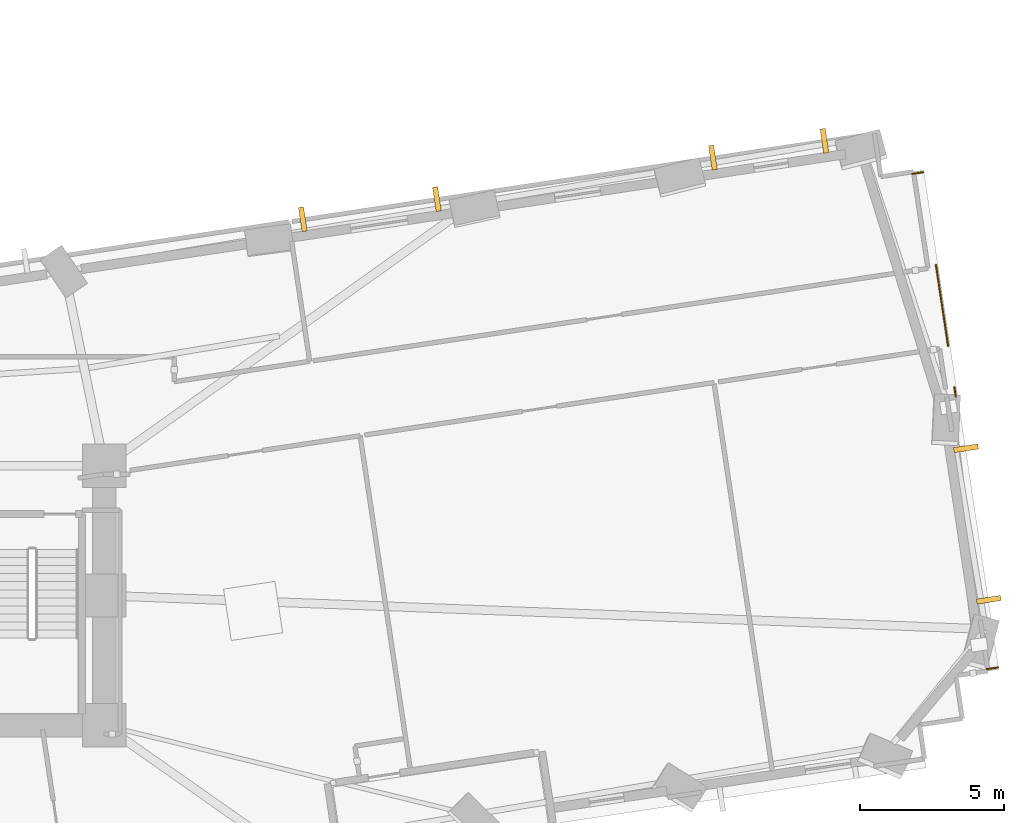
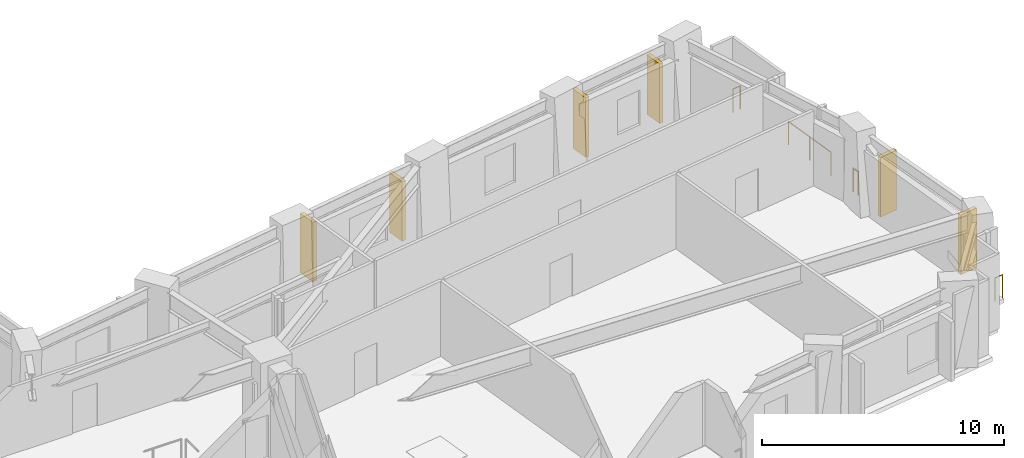
# One storey, part 14 of 15: 6 shading devices, 4 railings.
"""IFC4 building model written with IfcOpenShell, lengths in metres."""

from ifc_helpers import new_model, si_unit, direction, frame, origin, origin_2d, place, context, subcontext, project, spatial, rectangle, circle, extrude, material, layer, layer_set, type_object, element, save


model = new_model("IFC4")

# Units and contexts
model_context = context("Model", 3, precision=1e-05, world=origin(), true_north=direction((0.0, 1.0)))
body_context = subcontext(model_context, "Body", "Model", "MODEL_VIEW")
ifc_project = project(units=[si_unit("LENGTHUNIT", "METRE"), si_unit("AREAUNIT", "SQUARE_METRE"), si_unit("VOLUMEUNIT", "CUBIC_METRE"), si_unit("PLANEANGLEUNIT", "RADIAN"), si_unit("MASSUNIT", "GRAM", prefix="KILO")], contexts=[model_context])

# Site, building, storey
site_placement = place(None, origin())
site = spatial("IfcSite", under=ifc_project, at=site_placement, CompositionType="ELEMENT")
building_placement = place(site_placement, origin())
building = spatial("IfcBuilding", under=site, at=building_placement, Name="Gaonmaruhae Medical Tower", CompositionType="ELEMENT")
storey_placement = place(building_placement, frame((0.0, 0.0, 59.0)))
storey = spatial("IfcBuildingStorey", under=building, at=storey_placement, Name="L13", CompositionType="ELEMENT", Elevation=59.0)

# Railings
ifc_material_1 = material(Name="Stainless steel 316L and laminated safety glass", Category="steel")
ifc_layer = layer(ifc_material_1, 0.080078125)
ifc_layer_set = layer_set([ifc_layer], Name="Stainless steel 316L and laminated safety glass")
railing_type = type_object("IfcRailingType", Name="GD-120 Outdoor Terrace Safety Glass & Steel Balustrade", PredefinedType="BALUSTRADE", material=ifc_layer_set)
railing_1_placement = place(storey_placement, frame((63.605712890625, 26.91455078125, 0.0)))
element("IfcRailing", 1, at=railing_1_placement, inside=storey, type_object=railing_type, Name="L13 Perimeter Slab Edge Safety Balustrade 03", PredefinedType="BALUSTRADE", context=body_context, shape_type="SweptSolid", body=[
    extrude(circle(Radius=0.02392578125, at=origin_2d()), frame((0.0, 0.0, 1.17578125), z_axis=(0.988931798869, 0.148370809749, 0.0), x_axis=(-0.148370809749, 0.988931798869, 0.0)), (0.0, 0.0, 1.0), 0.393310546875),
    extrude(circle(Radius=0.02099609375, at=origin_2d()), origin(), (0.0, 0.0, 1.0), 1.15185546875),
    extrude(circle(Radius=0.02099609375, at=origin_2d()), frame((0.388916015625, 0.058349609375, 0.0)), (0.0, 0.0, 1.0), 1.15185546875),
])
railing_2_placement = place(storey_placement, frame((64.427490234375, 23.7587890625, 0.0)))
element("IfcRailing", 2, at=railing_2_placement, inside=storey, type_object=railing_type, Name="L13 Perimeter Slab Edge Safety Balustrade 04", PredefinedType="BALUSTRADE", context=body_context, shape_type="SweptSolid", body=[
    extrude(circle(Radius=0.02392578125, at=origin_2d()), frame((0.0, 0.0, 1.17578125), z_axis=(0.148618020815, -0.988894677855, 0.0), x_axis=(0.988894677855, 0.148618020815, 0.0)), (0.0, 0.0, 1.0), 2.838623046875),
    extrude(circle(Radius=0.02099609375, at=origin_2d()), origin(), (0.0, 0.0, 1.0), 1.15185546875),
    extrude(circle(Radius=0.02099609375, at=origin_2d()), frame((0.2109375, -1.403564453125, 0.0)), (0.0, 0.0, 1.0), 1.15185546875),
    extrude(circle(Radius=0.02099609375, at=origin_2d()), frame((0.421875, -2.80712890625, 0.0)), (0.0, 0.0, 1.0), 1.15185546875),
])
railing_3_placement = place(storey_placement, frame((65.064697265625, 19.520751953125, 0.0)))
element("IfcRailing", 3, at=railing_3_placement, inside=storey, type_object=railing_type, Name="L13 Perimeter Slab Edge Safety Balustrade 05", PredefinedType="BALUSTRADE", context=body_context, shape_type="SweptSolid", body=[
    extrude(circle(Radius=0.02392578125, at=origin_2d()), frame((0.0, 0.0, 1.17578125), z_axis=(0.148481436004, -0.988915195132, 0.0), x_axis=(0.988915195132, 0.148481436004, 0.0)), (0.0, 0.0, 1.0), 0.338623046875),
    extrude(circle(Radius=0.02099609375, at=origin_2d()), origin(), (0.0, 0.0, 1.0), 1.15185546875),
    extrude(circle(Radius=0.02099609375, at=origin_2d()), frame((0.05029296875, -0.3349609375, 0.0)), (0.0, 0.0, 1.0), 1.15185546875),
])
railing_4_placement = place(storey_placement, frame((66.57568359375, 9.805908203125, 0.0)))
element("IfcRailing", 4, at=railing_4_placement, inside=storey, type_object=railing_type, Name="L13 Perimeter Slab Edge Safety Balustrade 06", PredefinedType="BALUSTRADE", context=body_context, shape_type="SweptSolid", body=[
    extrude(circle(Radius=0.02392578125, at=origin_2d()), frame((0.0, 0.0, 1.17578125), z_axis=(-0.988931798869, -0.148370809749, 0.0), x_axis=(0.148370809749, -0.988931798869, 0.0)), (0.0, 0.0, 1.0), 0.393310546875),
    extrude(circle(Radius=0.02099609375, at=origin_2d()), origin(), (0.0, 0.0, 1.0), 1.15185546875),
    extrude(circle(Radius=0.02099609375, at=origin_2d()), frame((-0.388916015625, -0.058349609375, 0.0)), (0.0, 0.0, 1.0), 1.15185546875),
])

# Shading devices
ifc_material_2 = material(Name="Pigmented coral precast concrete C45/55", Category="concrete")
shading_device_type = type_object("IfcShadingDeviceType", Name="SD-FIN1 Tower Vertical Coral Precast Shading Fin", PredefinedType="USERDEFINED", material=ifc_material_2)
for number, where, z_axis, x_axis, name in (
    (5, (65.468994140625, 17.40283203125, 0.08251953125), (0.0, 0.0, 1.0), (0.148655174549, -0.988889093417, 0.0), "L13 Vertical Coral Precast Shading Fin E01"),
    (6, (66.25830078125, 12.151611328125, 0.08251953125), (0.0, 0.0, 1.0), (0.148655174549, -0.988889093417, 0.0), "L13 Vertical Coral Precast Shading Fin E01B"),
    (7, (56.697998046875, 27.478759765625, 0.08251953125), (0.0, 0.0, 1.0), (0.98888390377, 0.1486896932, 0.0), "L13 Vertical Coral Precast Shading Fin E03"),
    (8, (60.563720703125, 28.06005859375, 0.08251953125), (0.0, 0.0, 1.0), (0.98888390377, 0.1486896932, 0.0), "L13 Vertical Coral Precast Shading Fin E03B"),
    (9, (42.4833984375, 25.341796875, 0.08251953125), (0.0, 0.0, 1.0), (0.988886498745, 0.148672433897, 0.0), "L13 Vertical Coral Precast Shading Fin EN02"),
    (10, (47.130859375, 26.04052734375, 0.08251953125), (0.0, 0.0, 1.0), (0.988886498745, 0.148672433897, 0.0), "L13 Vertical Coral Precast Shading Fin EN02B"),
):
    element("IfcShadingDevice", number, at=place(storey_placement, frame(where, z_axis=z_axis, x_axis=x_axis)), inside=storey, type_object=shading_device_type, Name=name, ObjectType="FIN", PredefinedType="USERDEFINED", context=body_context, shape_type="SweptSolid", body=[
        extrude(rectangle(XDim=0.179931640625, YDim=0.85009765625, at=origin_2d()), origin(), (0.0, 0.0, 1.0), 3.0),
    ])

save(model, "model.ifc")
